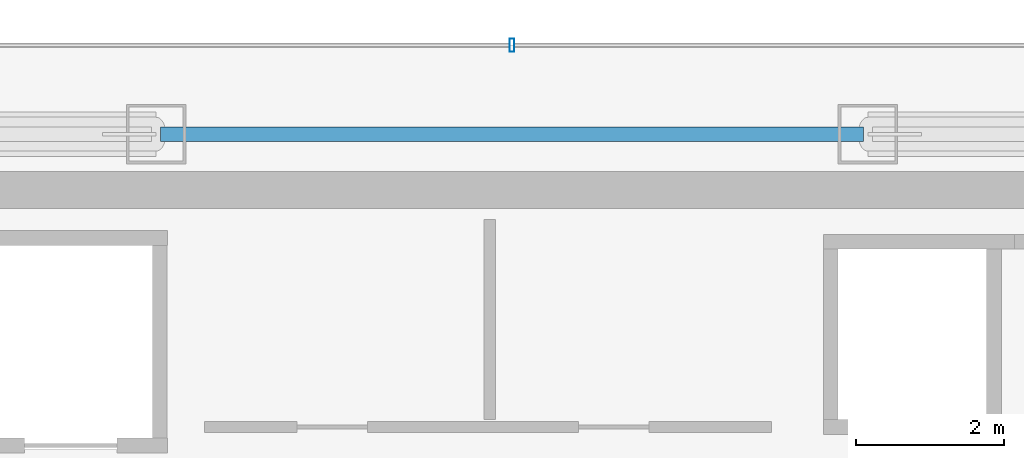
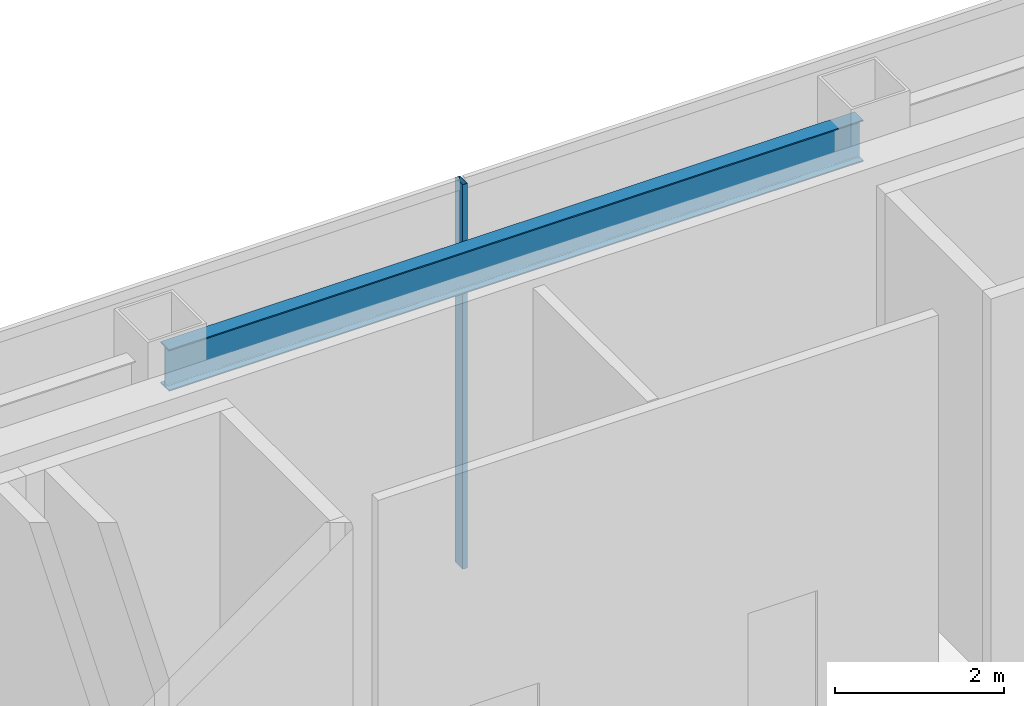
# One storey, part 24 of 34: 1 beam, 1 member, 1 element without a shape of its own.
"""IFC4 building model written with IfcOpenShell, lengths in metres."""

from ifc_helpers import new_model, si_unit, direction, frame, origin, origin_2d, place, context, subcontext, project, spatial, hollow_rectangle, i_section, extrude, material, material_profile, profile_set, type_object, element, aggregate, save


model = new_model("IFC4")

# Units and contexts
model_context = context("Model", 3, precision=1e-05, world=origin(), true_north=direction((0.0, 1.0)))
body_context = subcontext(model_context, "Body", "Model", "MODEL_VIEW")
ifc_project = project(units=[si_unit("LENGTHUNIT", "METRE"), si_unit("AREAUNIT", "SQUARE_METRE"), si_unit("VOLUMEUNIT", "CUBIC_METRE"), si_unit("PLANEANGLEUNIT", "RADIAN"), si_unit("MASSUNIT", "GRAM", prefix="KILO")], contexts=[model_context])

# Site, building, storey
site_placement = place(None, origin())
site = spatial("IfcSite", under=ifc_project, at=site_placement, CompositionType="ELEMENT")
building_placement = place(site_placement, origin())
building = spatial("IfcBuilding", under=site, at=building_placement, Name="Saevonmaru Cultural Tower", CompositionType="ELEMENT")
storey_placement = place(building_placement, frame((0.0, 0.0, 224.60009765625)))
storey = spatial("IfcBuildingStorey", under=building, at=storey_placement, Name="L52", CompositionType="ELEMENT", Elevation=224.60009765625)

# Beam
ifc_material_1 = material(Name="Steel SM355", Category="steel")
ifc_material_profile_1 = material_profile(ifc_material_1, i_section(OverallWidth=0.199951171875, OverallDepth=0.60009765625, WebThickness=0.010986328125, FlangeThickness=0.01708984375, FilletRadius=0.02197265625, at=origin_2d()), Name="H-600x200x11x17")
ifc_profile_set_1 = profile_set([ifc_material_profile_1], Name="Steel SM355")
beam_type = type_object("IfcBeamType", Name="BM-SP-H600", PredefinedType="SPANDREL", material=ifc_profile_set_1)
beam_placement = place(storey_placement, frame((25.260009765625, 54.800048828125, 5.25), z_axis=(1.0, 0.0, 0.0), x_axis=(0.0, 1.0, 0.0)))
element("IfcBeam", 1, at=beam_placement, inside=storey, type_object=beam_type, Name="L52 North Spine Girder 3", PredefinedType="SPANDREL", context=body_context, shape_type="SweptSolid", body=[
    extrude(i_section(OverallWidth=0.199951171875, OverallDepth=0.60009765625, WebThickness=0.010986328125, FlangeThickness=0.01708984375, FilletRadius=0.02197265625, at=origin_2d()), origin(), (0.0, 0.0, 1.0), 9.47998046875),
])

# Curtain wall, member
ifc_material_2 = material(Name="Satin Bronze Anodised Aluminium", Category="aluminium")
curtain_wall_type = type_object("IfcCurtainWallType", Name="CW-TYP-B", PredefinedType="NOTDEFINED", material=ifc_material_2)
curtain_wall_placement = place(storey_placement, origin())
curtain_wall = element("IfcCurtainWall", 2, at=curtain_wall_placement, inside=storey, type_object=curtain_wall_type, Name="L52 Wind-Floor Acoustic Louvre Screen E10", PredefinedType="NOTDEFINED")
ifc_material_profile_2 = material_profile(ifc_material_2, hollow_rectangle(XDim=0.06494140625, YDim=0.179931640625, WallThickness=0.00390625, at=origin_2d()), Name="ALU-MULL-180x65x4")
ifc_profile_set_2 = profile_set([ifc_material_profile_2], Name="Satin Bronze Anodised Aluminium")
member_type = type_object("IfcMemberType", Name="ML-CW-180x65", PredefinedType="MULLION", material=ifc_profile_set_2)
member_placement = place(storey_placement, frame((30.0, 56.0, 0.0), z_axis=(0.0, 0.0, 1.0), x_axis=(-1.0, 0.0, 0.0)))
member = element("IfcMember", 3, at=member_placement, type_object=member_type, Name="CW-TW-L52-E10 mullion 3", PredefinedType="MULLION", context=body_context, shape_type="SweptSolid", body=[
    extrude(hollow_rectangle(XDim=0.06494140625, YDim=0.179931640625, WallThickness=0.00390625, at=origin_2d()), origin(), (0.0, 0.0, 1.0), 5.5498046875),
])
aggregate(curtain_wall, [member])

save(model, "model.ifc")
